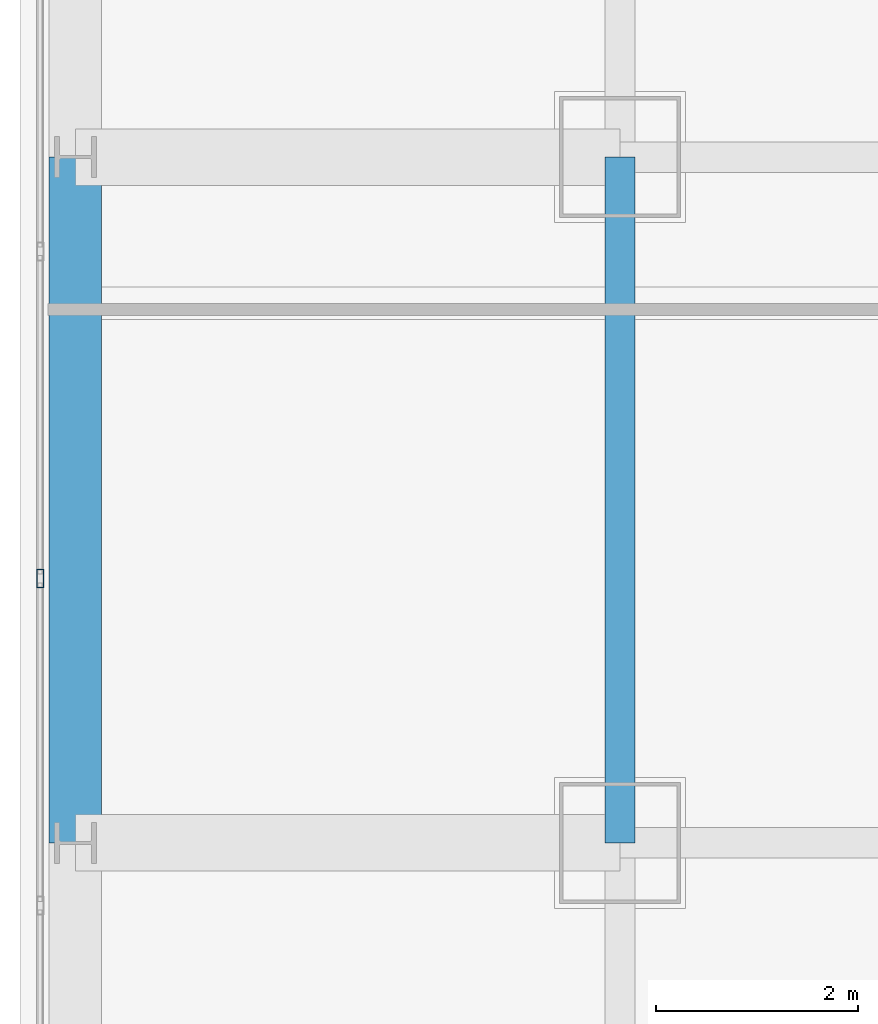
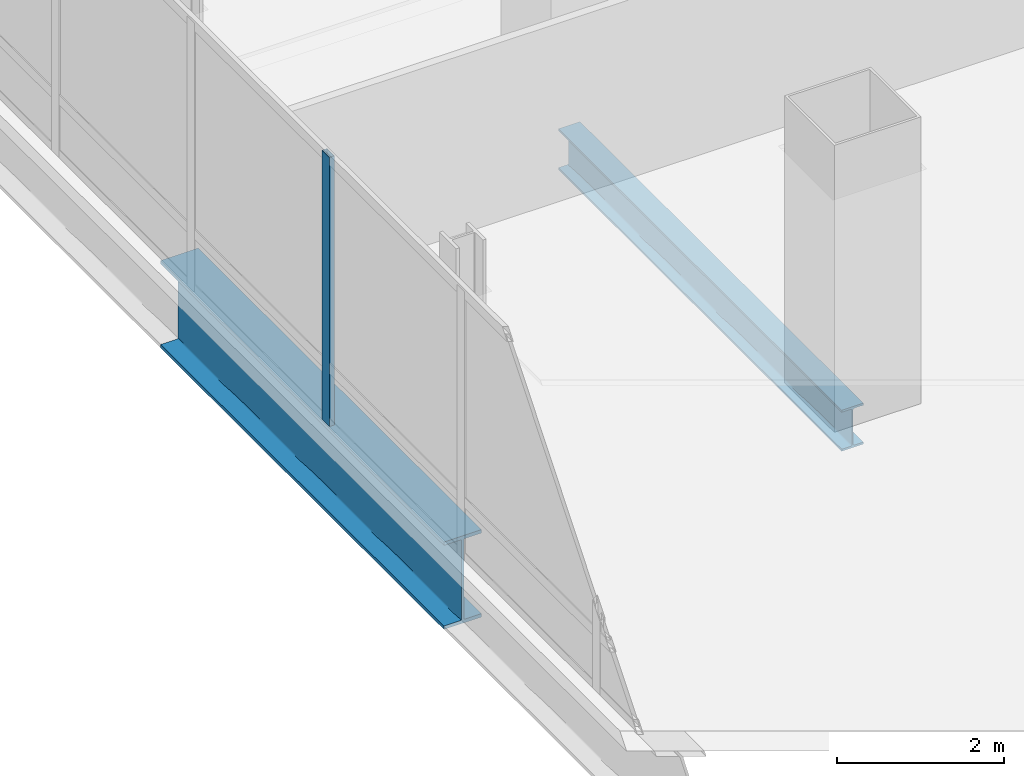
# One storey, part 12 of 46: 2 beams, 1 member, 1 element without a shape of its own.
"""IFC4 building model written with IfcOpenShell, lengths in metres."""

from ifc_helpers import new_model, si_unit, direction, frame, origin, origin_2d, place, context, subcontext, project, spatial, hollow_rectangle, i_section, extrude, material, material_profile, profile_set, type_object, element, aggregate, save


model = new_model("IFC4")

# Units and contexts
model_context = context("Model", 3, precision=1e-05, world=origin(), true_north=direction((0.0, 1.0)))
body_context = subcontext(model_context, "Body", "Model", "MODEL_VIEW")
ifc_project = project(units=[si_unit("LENGTHUNIT", "METRE"), si_unit("AREAUNIT", "SQUARE_METRE"), si_unit("VOLUMEUNIT", "CUBIC_METRE"), si_unit("PLANEANGLEUNIT", "RADIAN"), si_unit("MASSUNIT", "GRAM", prefix="KILO")], contexts=[model_context])

# Site, building, storey
site_placement = place(None, origin())
site = spatial("IfcSite", under=ifc_project, at=site_placement, CompositionType="ELEMENT")
building_placement = place(site_placement, origin())
building = spatial("IfcBuilding", under=site, at=building_placement, Name="Punatoya Terracotta Tower", CompositionType="ELEMENT")
storey_placement = place(building_placement, frame((0.0, 0.0, 330.0)))
storey = spatial("IfcBuildingStorey", under=building, at=storey_placement, Name="L78", CompositionType="ELEMENT", Elevation=330.0)

# Beams
ifc_material_1 = material(Name="Steel S355", Category="steel")
ifc_material_profile_1 = material_profile(ifc_material_1, i_section(OverallWidth=0.300048828125, OverallDepth=0.60009765625, WebThickness=0.015380859375, FlangeThickness=0.030029296875, FilletRadius=0.01806640625, at=origin_2d()))
ifc_profile_set_1 = profile_set([ifc_material_profile_1], Name="Steel S355")
beam_type_1 = type_object("IfcBeamType", Name="BM-PRI-600", PredefinedType="BEAM", material=ifc_profile_set_1)
beam_1_placement = place(storey_placement, frame((-19.10009765625, -3.39990234375, -0.5), z_axis=(0.0, 1.0, 0.0), x_axis=(-1.0, 0.0, 0.0)))
element("IfcBeam", 1, at=beam_1_placement, inside=storey, type_object=beam_type_1, Name="BM-L78-RG-W2", PredefinedType="BEAM", context=body_context, shape_type="SweptSolid", body=[
    extrude(i_section(OverallWidth=0.300048828125, OverallDepth=0.60009765625, WebThickness=0.015380859375, FlangeThickness=0.030029296875, FilletRadius=0.01806640625, at=origin_2d()), origin(), (0.0, 0.0, 1.0), 6.7998046875),
])
ifc_material_2 = material(Name="Steel S460", Category="steel")
ifc_material_profile_2 = material_profile(ifc_material_2, i_section(OverallWidth=0.52001953125, OverallDepth=1.280029296875, WebThickness=0.031982421875, FlangeThickness=0.050048828125, FilletRadius=0.01806640625, at=origin_2d()))
ifc_profile_set_2 = profile_set([ifc_material_profile_2], Name="Steel S460")
beam_type_2 = type_object("IfcBeamType", Name="BM-TG-NCK", PredefinedType="BEAM", material=ifc_profile_set_2)
beam_2_placement = place(storey_placement, frame((-24.5, -3.39990234375, -0.840087890625), z_axis=(0.0, 1.0, 0.0), x_axis=(-1.0, 0.0, 0.0)))
element("IfcBeam", 2, at=beam_2_placement, inside=storey, type_object=beam_type_2, Name="BM-L78-PER-W2", PredefinedType="BEAM", context=body_context, shape_type="SweptSolid", body=[
    extrude(i_section(OverallWidth=0.52001953125, OverallDepth=1.280029296875, WebThickness=0.031982421875, FlangeThickness=0.050048828125, FilletRadius=0.01806640625, at=origin_2d()), origin(), (0.0, 0.0, 1.0), 6.7998046875),
])

# Curtain wall, member
ifc_material_3 = material(Name="Aluminium 6063-T6 + Double Low-E Glass", Category="aluminium")
curtain_wall_type = type_object("IfcCurtainWallType", Name="CW-OBS", PredefinedType="NOTDEFINED", material=ifc_material_3)
curtain_wall_placement = place(storey_placement, origin())
curtain_wall = element("IfcCurtainWall", 3, at=curtain_wall_placement, inside=storey, type_object=curtain_wall_type, Name="L78 Curtain Wall CW-L78-W13-1", PredefinedType="NOTDEFINED")
ifc_material_4 = material(Name="Aluminium 6063-T6", Category="aluminium")
ifc_material_profile_3 = material_profile(ifc_material_4, hollow_rectangle(XDim=0.070068359375, YDim=0.179931640625, WallThickness=0.00390625, at=origin_2d()))
ifc_profile_set_3 = profile_set([ifc_material_profile_3], Name="Aluminium 6063-T6")
member_type = type_object("IfcMemberType", Name="CW-MUL-M3", PredefinedType="MULLION", material=ifc_profile_set_3)
member_placement = place(storey_placement, frame((-24.85009765625, -0.778564453125, 0.0), z_axis=(0.0, 0.0, 1.0), x_axis=(1.0, 0.0, 0.0)))
member = element("IfcMember", 4, at=member_placement, type_object=member_type, Name="CW-L78-W13-1 Mullion 05", PredefinedType="MULLION", context=body_context, shape_type="SweptSolid", body=[
    extrude(hollow_rectangle(XDim=0.070068359375, YDim=0.179931640625, WallThickness=0.00390625, at=origin_2d()), origin(), (0.0, 0.0, 1.0), 3.93994140625),
])
aggregate(curtain_wall, [member])

save(model, "model.ifc")
